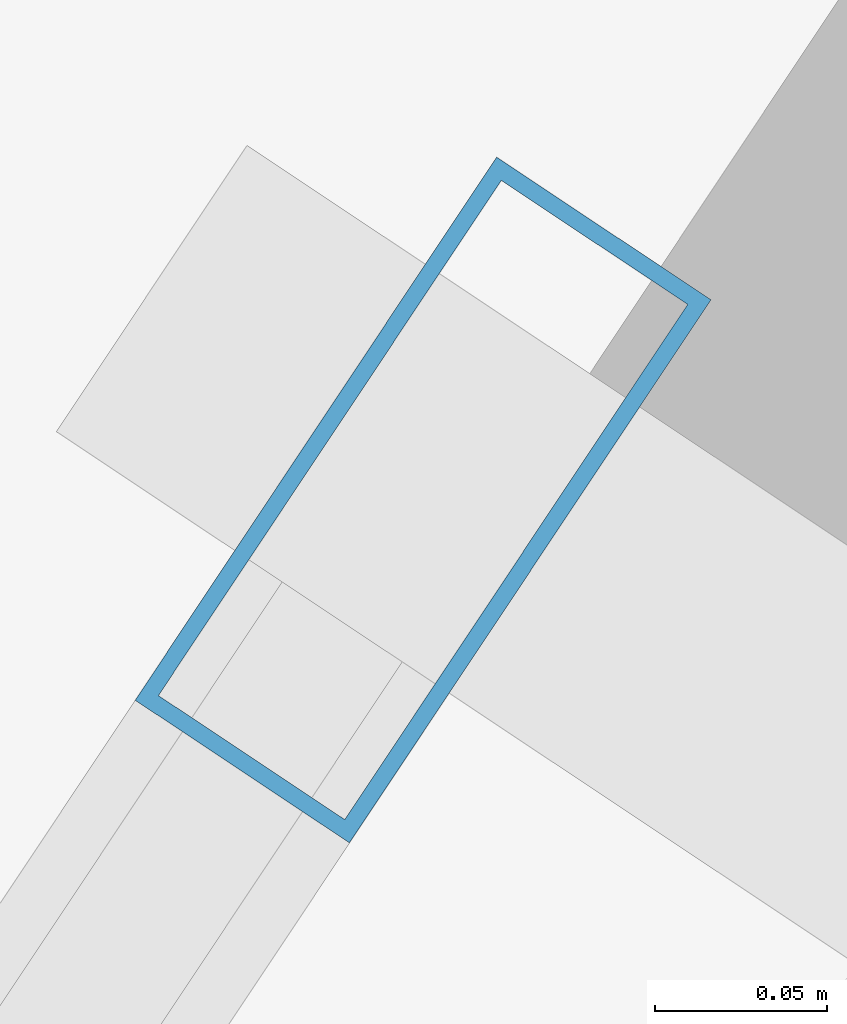
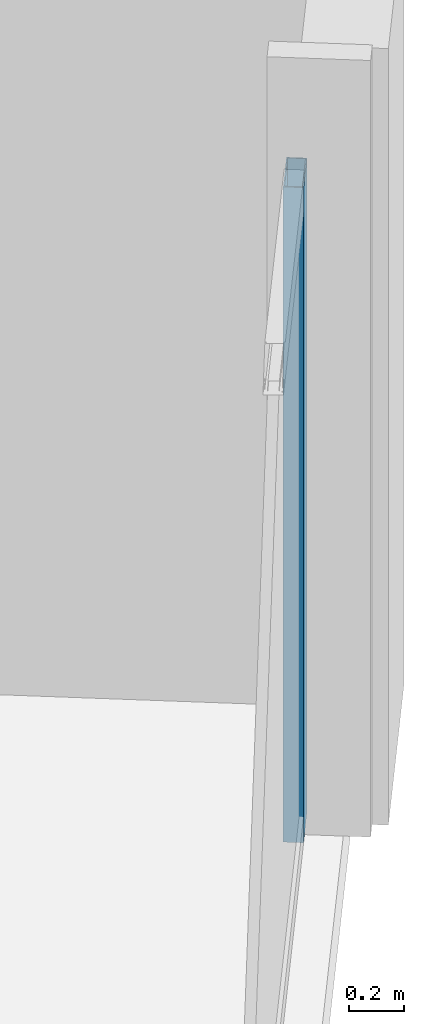
# One storey, part 18 of 32: 1 member, 1 element without a shape of its own.
"""IFC4 building model written with IfcOpenShell, lengths in metres."""

from ifc_helpers import new_model, si_unit, direction, frame, origin, origin_2d, place, context, subcontext, project, spatial, hollow_rectangle, extrude, material, material_profile, profile_set, type_object, element, aggregate, save


model = new_model("IFC4")

# Units and contexts
model_context = context("Model", 3, precision=1e-05, world=origin(), true_north=direction((0.0, 1.0)))
body_context = subcontext(model_context, "Body", "Model", "MODEL_VIEW")
ifc_project = project(units=[si_unit("LENGTHUNIT", "METRE"), si_unit("AREAUNIT", "SQUARE_METRE"), si_unit("VOLUMEUNIT", "CUBIC_METRE"), si_unit("PLANEANGLEUNIT", "RADIAN"), si_unit("MASSUNIT", "GRAM", prefix="KILO")], contexts=[model_context])

# Site, building, storey
site_placement = place(None, origin())
site = spatial("IfcSite", under=ifc_project, at=site_placement, CompositionType="ELEMENT")
building_placement = place(site_placement, origin())
building = spatial("IfcBuilding", under=site, at=building_placement, Name="Haldenkirk Collegiate Tower", CompositionType="ELEMENT")
storey_placement = place(building_placement, frame((0.0, 0.0, 217.199951171875)))
storey = spatial("IfcBuildingStorey", under=building, at=storey_placement, Name="L54", CompositionType="ELEMENT", Elevation=217.199951171875)

# Curtain wall, member
ifc_material = material(Name="Anodised architectural bronze aluminium", Category="aluminium")
curtain_wall_type = type_object("IfcCurtainWallType", Name="CW-SYS2-CONCAVE", PredefinedType="USERDEFINED", material=ifc_material)
curtain_wall_placement = place(storey_placement, origin())
curtain_wall = element("IfcCurtainWall", 1, at=curtain_wall_placement, inside=storey, type_object=curtain_wall_type, Name="L54 South concave recessed bronze-anodised curtain wall", ObjectType="UNITISED CURTAIN WALL", PredefinedType="USERDEFINED")
ifc_material_profile = material_profile(ifc_material, hollow_rectangle(XDim=0.074951171875, YDim=0.18994140625, WallThickness=0.0048828125, at=origin_2d()), Name="CW-MUL-02")
ifc_profile_set = profile_set([ifc_material_profile], Name="Anodised architectural bronze aluminium")
member_type = type_object("IfcMemberType", Name="CW-MUL-02", PredefinedType="MULLION", material=ifc_profile_set)
member_placement = place(storey_placement, frame((66.197021484375, 29.279296875, 0.0), z_axis=(0.0, 0.0, 1.0), x_axis=(0.832438256204, -0.55411781203, 0.0)))
member = element("IfcMember", 2, at=member_placement, type_object=member_type, Name="CW-02 mullion 1", PredefinedType="MULLION", context=body_context, shape_type="SweptSolid", body=[
    extrude(hollow_rectangle(XDim=0.074951171875, YDim=0.18994140625, WallThickness=0.0048828125, at=origin_2d()), origin(), (0.0, 0.0, 1.0), 2.927978515625),
])
aggregate(curtain_wall, [member])

save(model, "model.ifc")
